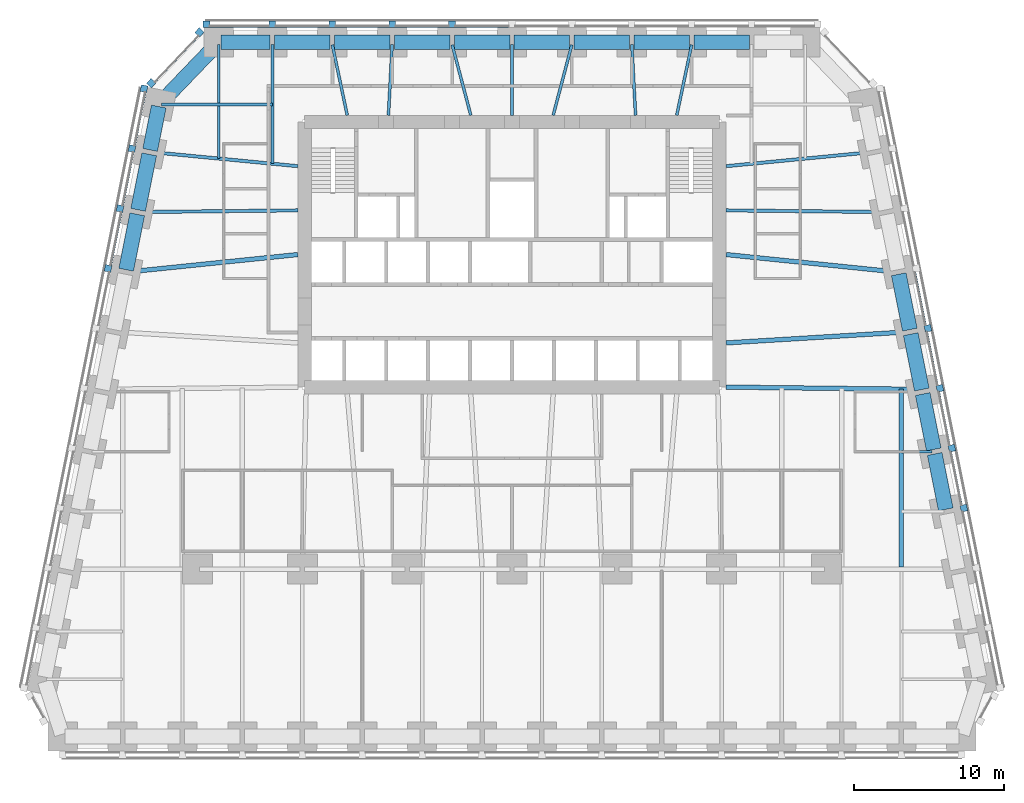
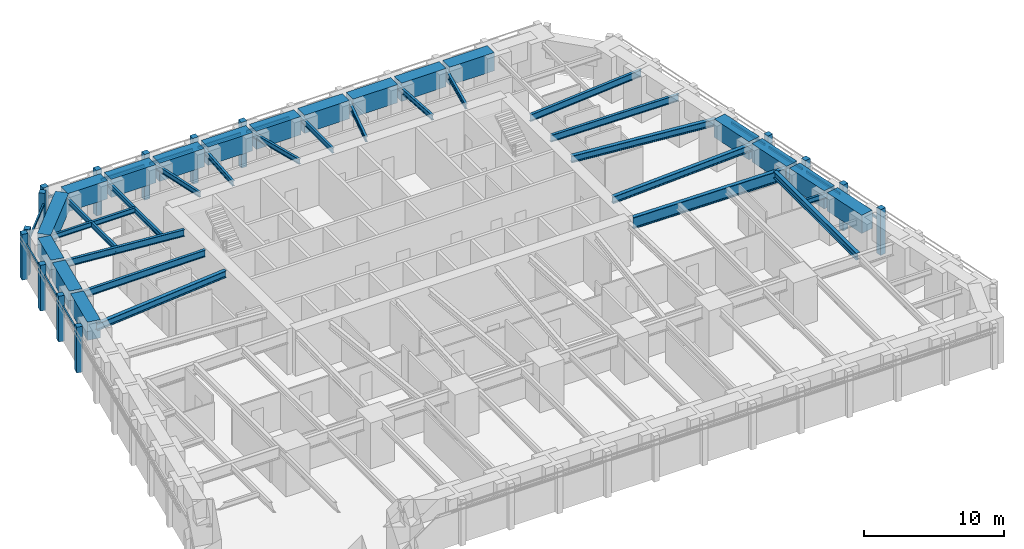
# One storey, part 3 of 10: 37 beams, 28 members, 4 elements without a shape of their own.
"""IFC4 building model written with IfcOpenShell, lengths in metres."""

from ifc_helpers import new_model, si_unit, direction, frame, origin, origin_2d, place, context, subcontext, project, spatial, rectangle, i_section, extrude, material, material_profile, profile_set, type_object, element, aggregate, save


model = new_model("IFC4")

# Units and contexts
model_context = context("Model", 3, precision=1e-05, world=origin(), true_north=direction((0.0, 1.0)))
body_context = subcontext(model_context, "Body", "Model", "MODEL_VIEW")
ifc_project = project(units=[si_unit("LENGTHUNIT", "METRE"), si_unit("AREAUNIT", "SQUARE_METRE"), si_unit("VOLUMEUNIT", "CUBIC_METRE"), si_unit("PLANEANGLEUNIT", "RADIAN"), si_unit("MASSUNIT", "GRAM", prefix="KILO")], contexts=[model_context])

# Site, building, storey
site_placement = place(None, origin())
site = spatial("IfcSite", under=ifc_project, at=site_placement, CompositionType="ELEMENT")
building_placement = place(site_placement, origin())
building = spatial("IfcBuilding", under=site, at=building_placement, Name="Isbrekke Arena Tower", CompositionType="ELEMENT")
storey_placement = place(building_placement, frame((0.0, 0.0, 72.0)))
storey = spatial("IfcBuildingStorey", under=building, at=storey_placement, Name="L15", CompositionType="ELEMENT", Elevation=72.0)

# Beams
ifc_material_1 = material(Name="Steel S355", Category="steel")
ifc_material_profile_1 = material_profile(ifc_material_1, i_section(OverallWidth=0.219970703125, OverallDepth=0.60009765625, WebThickness=0.011962890625, FlangeThickness=0.01904296875, FilletRadius=0.02392578125, at=origin_2d()), Name="IPE 600")
ifc_profile_set_1 = profile_set([ifc_material_profile_1], Name="Steel S355")
beam_type_1 = type_object("IfcBeamType", Name="B1 IPE 600", PredefinedType="BEAM", material=ifc_profile_set_1)
beam_1_placement = place(storey_placement, frame((24.83984375, 17.838134765625, 3.550048828125), z_axis=(-0.999943729589, 0.010608376645, 0.0), x_axis=(-0.010608376645, -0.999943729589, 0.0)))
element("IfcBeam", 1, at=beam_1_placement, inside=storey, type_object=beam_type_1, Name="B1 beam E-E09 L15", PredefinedType="BEAM", context=body_context, shape_type="SweptSolid", body=[
    extrude(i_section(OverallWidth=0.219970703125, OverallDepth=0.60009765625, WebThickness=0.011962890625, FlangeThickness=0.01904296875, FilletRadius=0.02392578125, at=origin_2d()), origin(), (0.0, 0.0, 1.0), 10.540283203125),
])
for number, where, z_axis, x_axis, name in (
    (2, (24.030517578125, 21.837158203125, 3.550048828125), (-0.995393091527, -0.095878012805, 0.0), (0.095878012805, -0.995393091527, 0.0), "B1 beam E-E10 L15"),
    (3, (-24.030517578125, 21.837158203125, 3.550048828125), (0.995393091527, -0.095878012805, 0.0), (0.095878012805, 0.995393091527, 0.0), "B1 beam E-W02 L15"),
):
    element("IfcBeam", number, at=place(storey_placement, frame(where, z_axis=z_axis, x_axis=x_axis)), inside=storey, type_object=beam_type_1, Name=name, PredefinedType="BEAM", context=body_context, shape_type="SweptSolid", body=[
        extrude(i_section(OverallWidth=0.219970703125, OverallDepth=0.60009765625, WebThickness=0.011962890625, FlangeThickness=0.01904296875, FilletRadius=0.02392578125, at=origin_2d()), origin(), (0.0, 0.0, 1.0), 9.775390625),
    ])
beam_2_placement = place(storey_placement, frame((-24.83984375, 17.838134765625, 3.550048828125), z_axis=(0.999943729589, 0.010608376645, 0.0), x_axis=(-0.010608376645, 0.999943729589, 0.0)))
element("IfcBeam", 4, at=beam_2_placement, inside=storey, type_object=beam_type_1, Name="B1 beam E-W03 L15", PredefinedType="BEAM", context=body_context, shape_type="SweptSolid", body=[
    extrude(i_section(OverallWidth=0.219970703125, OverallDepth=0.60009765625, WebThickness=0.011962890625, FlangeThickness=0.01904296875, FilletRadius=0.02392578125, at=origin_2d()), origin(), (0.0, 0.0, 1.0), 10.540283203125),
])
ifc_material_2 = material(Name="Steel S355", Category="steel")
ifc_material_profile_2 = material_profile(ifc_material_2, i_section(OverallWidth=0.18994140625, OverallDepth=0.449951171875, WebThickness=0.009521484375, FlangeThickness=0.0146484375, FilletRadius=0.02099609375, at=origin_2d()), Name="IPE 450")
ifc_profile_set_2 = profile_set([ifc_material_profile_2], Name="Steel S355")
beam_type_2 = type_object("IfcBeamType", Name="B2 IPE 450", PredefinedType="BEAM", material=ifc_profile_set_2)
beam_3_placement = place(storey_placement, frame((28.041015625, 1.838134765625, 3.625), z_axis=(-1.0, 0.0, 0.0), x_axis=(0.0, -1.0, 0.0)))
element("IfcBeam", 5, at=beam_3_placement, inside=storey, type_object=beam_type_2, Name="B2 beam E-E05 L15", PredefinedType="BEAM", context=body_context, shape_type="SweptSolid", body=[
    extrude(i_section(OverallWidth=0.18994140625, OverallDepth=0.449951171875, WebThickness=0.009521484375, FlangeThickness=0.0146484375, FilletRadius=0.02099609375, at=origin_2d()), origin(), (0.0, 0.0, 1.0), 2.041015625),
])
beam_4_placement = place(storey_placement, frame((-23.40283203125, 25.029296875, 3.625), z_axis=(1.0, 0.0, 0.0), x_axis=(0.0, 1.0, 0.0)))
element("IfcBeam", 6, at=beam_4_placement, inside=storey, type_object=beam_type_2, Name="B2 beam E-W01 L15", PredefinedType="BEAM", context=body_context, shape_type="SweptSolid", body=[
    extrude(i_section(OverallWidth=0.18994140625, OverallDepth=0.449951171875, WebThickness=0.009521484375, FlangeThickness=0.0146484375, FilletRadius=0.02099609375, at=origin_2d()), origin(), (0.0, 0.0, 1.0), 7.40283203125),
])
ifc_material_3 = material(Name="Steel S355", Category="steel")
ifc_material_profile_3 = material_profile(ifc_material_3, i_section(OverallWidth=0.18994140625, OverallDepth=0.449951171875, WebThickness=0.009521484375, FlangeThickness=0.0146484375, FilletRadius=0.02099609375, at=origin_2d()), Name="IPE 450")
ifc_profile_set_3 = profile_set([ifc_material_profile_3], Name="Steel S355")
beam_type_3 = type_object("IfcBeamType", Name="B3 IPE 450", PredefinedType="BEAM", material=ifc_profile_set_3)
beam_5_placement = place(storey_placement, frame((-16.0, 29.02490234375, 3.625), z_axis=(0.0, -1.0, 0.0), x_axis=(1.0, 0.0, 0.0)))
element("IfcBeam", 7, at=beam_5_placement, inside=storey, type_object=beam_type_3, Name="B3 beam N-N10 L15", PredefinedType="BEAM", context=body_context, shape_type="SweptSolid", body=[
    extrude(i_section(OverallWidth=0.18994140625, OverallDepth=0.449951171875, WebThickness=0.009521484375, FlangeThickness=0.0146484375, FilletRadius=0.02099609375, at=origin_2d()), origin(), (0.0, 0.0, 1.0), 7.961181640625),
])
beam_6_placement = place(storey_placement, frame((-19.574951171875, 29.02490234375, 3.625), z_axis=(0.0, -1.0, 0.0), x_axis=(1.0, 0.0, 0.0)))
element("IfcBeam", 8, at=beam_6_placement, inside=storey, type_object=beam_type_3, Name="B3 beam N-N11 L15", PredefinedType="BEAM", context=body_context, shape_type="SweptSolid", body=[
    extrude(i_section(OverallWidth=0.18994140625, OverallDepth=0.449951171875, WebThickness=0.009521484375, FlangeThickness=0.0146484375, FilletRadius=0.02099609375, at=origin_2d()), origin(), (0.0, 0.0, 1.0), 7.616943359375),
])
beam_7_placement = place(storey_placement, frame((11.995849609375, 29.005859375, 3.625), z_axis=(-0.207036135686, -0.978333296234, 0.0), x_axis=(0.978333296234, -0.207036135686, 0.0)))
element("IfcBeam", 9, at=beam_7_placement, inside=storey, type_object=beam_type_3, Name="B3 beam N-N03 L15", PredefinedType="BEAM", context=body_context, shape_type="SweptSolid", body=[
    extrude(i_section(OverallWidth=0.18994140625, OverallDepth=0.449951171875, WebThickness=0.009521484375, FlangeThickness=0.0146484375, FilletRadius=0.02099609375, at=origin_2d()), origin(), (0.0, 0.0, 1.0), 4.81005859375),
])
beam_8_placement = place(storey_placement, frame((8.000244140625, 29.02001953125, 3.625), z_axis=(0.05284078094, -0.998602950061, 0.0), x_axis=(0.998602950061, 0.05284078094, 0.0)))
element("IfcBeam", 10, at=beam_8_placement, inside=storey, type_object=beam_type_3, Name="B3 beam N-N04 L15", PredefinedType="BEAM", context=body_context, shape_type="SweptSolid", body=[
    extrude(i_section(OverallWidth=0.18994140625, OverallDepth=0.449951171875, WebThickness=0.009521484375, FlangeThickness=0.0146484375, FilletRadius=0.02099609375, at=origin_2d()), origin(), (0.0, 0.0, 1.0), 4.7265625),
])
beam_9_placement = place(storey_placement, frame((3.993896484375, 29.00146484375, 3.625), z_axis=(-0.255778031922, -0.966735536942, 0.0), x_axis=(0.966735536942, -0.255778031922, 0.0)))
element("IfcBeam", 11, at=beam_9_placement, inside=storey, type_object=beam_type_3, Name="B3 beam N-N05 L15", PredefinedType="BEAM", context=body_context, shape_type="SweptSolid", body=[
    extrude(i_section(OverallWidth=0.18994140625, OverallDepth=0.449951171875, WebThickness=0.009521484375, FlangeThickness=0.0146484375, FilletRadius=0.02099609375, at=origin_2d()), origin(), (0.0, 0.0, 1.0), 4.86328125),
])
beam_10_placement = place(storey_placement, frame((0.0, 29.02490234375, 3.625), z_axis=(0.0, -1.0, 0.0), x_axis=(1.0, 0.0, 0.0)))
element("IfcBeam", 12, at=beam_10_placement, inside=storey, type_object=beam_type_3, Name="B3 beam N-N06 L15", PredefinedType="BEAM", context=body_context, shape_type="SweptSolid", body=[
    extrude(i_section(OverallWidth=0.18994140625, OverallDepth=0.449951171875, WebThickness=0.009521484375, FlangeThickness=0.0146484375, FilletRadius=0.02099609375, at=origin_2d()), origin(), (0.0, 0.0, 1.0), 4.724853515625),
])
beam_11_placement = place(storey_placement, frame((-3.993896484375, 29.00146484375, 3.625), z_axis=(0.255778031922, -0.966735536942, 0.0), x_axis=(0.966735536942, 0.255778031922, 0.0)))
element("IfcBeam", 13, at=beam_11_placement, inside=storey, type_object=beam_type_3, Name="B3 beam N-N07 L15", PredefinedType="BEAM", context=body_context, shape_type="SweptSolid", body=[
    extrude(i_section(OverallWidth=0.18994140625, OverallDepth=0.449951171875, WebThickness=0.009521484375, FlangeThickness=0.0146484375, FilletRadius=0.02099609375, at=origin_2d()), origin(), (0.0, 0.0, 1.0), 4.86328125),
])
beam_12_placement = place(storey_placement, frame((-8.000244140625, 29.02001953125, 3.625), z_axis=(-0.05284078094, -0.998602950061, 0.0), x_axis=(0.998602950061, -0.05284078094, 0.0)))
element("IfcBeam", 14, at=beam_12_placement, inside=storey, type_object=beam_type_3, Name="B3 beam N-N08 L15", PredefinedType="BEAM", context=body_context, shape_type="SweptSolid", body=[
    extrude(i_section(OverallWidth=0.18994140625, OverallDepth=0.449951171875, WebThickness=0.009521484375, FlangeThickness=0.0146484375, FilletRadius=0.02099609375, at=origin_2d()), origin(), (0.0, 0.0, 1.0), 4.7265625),
])
beam_13_placement = place(storey_placement, frame((-11.995849609375, 29.005859375, 3.625), z_axis=(0.207036135686, -0.978333296234, 0.0), x_axis=(0.978333296234, 0.207036135686, 0.0)))
element("IfcBeam", 15, at=beam_13_placement, inside=storey, type_object=beam_type_3, Name="B3 beam N-N09 L15", PredefinedType="BEAM", context=body_context, shape_type="SweptSolid", body=[
    extrude(i_section(OverallWidth=0.18994140625, OverallDepth=0.449951171875, WebThickness=0.009521484375, FlangeThickness=0.0146484375, FilletRadius=0.02099609375, at=origin_2d()), origin(), (0.0, 0.0, 1.0), 4.81005859375),
])
ifc_material_4 = material(Name="Steel S355", Category="steel")
ifc_material_profile_4 = material_profile(ifc_material_4, i_section(OverallWidth=0.300048828125, OverallDepth=0.60009765625, WebThickness=0.015380859375, FlangeThickness=0.030029296875, FilletRadius=0.027099609375, at=origin_2d()), Name="HEB 600")
ifc_profile_set_4 = profile_set([ifc_material_profile_4], Name="Steel S355")
beam_type_4 = type_object("IfcBeamType", Name="B7 HEB 600", PredefinedType="BEAM", material=ifc_profile_set_4)
beam_14_placement = place(storey_placement, frame((26.0, -5.84912109375, 3.550048828125), z_axis=(0.0, 1.0, 0.0), x_axis=(-1.0, 0.0, 0.0)))
element("IfcBeam", 16, at=beam_14_placement, inside=storey, type_object=beam_type_4, Name="B7 beam C-M14 L15", PredefinedType="BEAM", context=body_context, shape_type="SweptSolid", body=[
    extrude(i_section(OverallWidth=0.300048828125, OverallDepth=0.60009765625, WebThickness=0.015380859375, FlangeThickness=0.030029296875, FilletRadius=0.027099609375, at=origin_2d()), origin(), (0.0, 0.0, 1.0), 11.864990234375),
])
beam_15_placement = place(storey_placement, frame((26.431884765625, 9.837646484375, 3.550048828125), z_axis=(-0.998157121592, -0.060682457223, 0.0), x_axis=(0.060682457223, -0.998157121592, 0.0)))
element("IfcBeam", 17, at=beam_15_placement, inside=storey, type_object=beam_type_4, Name="B7 beam E-E07 L15", PredefinedType="BEAM", context=body_context, shape_type="SweptSolid", body=[
    extrude(i_section(OverallWidth=0.300048828125, OverallDepth=0.60009765625, WebThickness=0.015380859375, FlangeThickness=0.030029296875, FilletRadius=0.027099609375, at=origin_2d()), origin(), (0.0, 0.0, 1.0), 12.154296875),
])
for number, where, z_axis, x_axis, name in (
    (18, (25.625732421875, 13.83984375, 3.550048828125), (-0.994794378016, 0.101902627384, 0.0), (-0.101902627384, -0.994794378016, 0.0), "B7 beam E-E08 L15"),
    (19, (-25.625732421875, 13.83984375, 3.550048828125), (0.994794378016, 0.101902627384, 0.0), (-0.101902627384, 0.994794378016, 0.0), "B7 beam E-W04 L15"),
):
    element("IfcBeam", number, at=place(storey_placement, frame(where, z_axis=z_axis, x_axis=x_axis)), inside=storey, type_object=beam_type_4, Name=name, PredefinedType="BEAM", context=body_context, shape_type="SweptSolid", body=[
        extrude(i_section(OverallWidth=0.300048828125, OverallDepth=0.60009765625, WebThickness=0.015380859375, FlangeThickness=0.030029296875, FilletRadius=0.027099609375, at=origin_2d()), origin(), (0.0, 0.0, 1.0), 11.385009765625),
    ])

# Curtain wall, members
ifc_material_5 = material(Name="Glazed aluminium curtain wall", Category="aluminium")
curtain_wall_type = type_object("IfcCurtainWallType", Name="CWL TOWER CURTAIN WALL LOW ZONE", PredefinedType="USERDEFINED", material=ifc_material_5)
curtain_wall_1_placement = place(storey_placement, origin())
curtain_wall_1 = element("IfcCurtainWall", 20, at=curtain_wall_1_placement, inside=storey, type_object=curtain_wall_type, Name="CWL curtain wall L15-E", ObjectType="TOWER CURTAIN WALL LOW ZONE", PredefinedType="USERDEFINED")
ifc_material_6 = material(Name="Aluminium mullion, pale brick slip cladding", Category="masonry")
ifc_material_profile_5 = material_profile(ifc_material_6, rectangle(XDim=0.449951171875, YDim=0.449951171875, at=origin_2d()), Name="PIER 450X450")
ifc_profile_set_5 = profile_set([ifc_material_profile_5], Name="Aluminium mullion, pale brick slip cladding")
member_type_1 = type_object("IfcMemberType", Name="CWL-M PIER MULLION 450 x 450", PredefinedType="MULLION", material=ifc_profile_set_5)
member_1_placement = place(storey_placement, frame((30.167724609375, -1.926513671875, 0.0), z_axis=(0.0, 0.0, 1.0), x_axis=(-0.196116135138, 0.980580675691, 0.0)))
member_1 = element("IfcMember", 21, at=member_1_placement, type_object=member_type_1, Name="CWL-M mullion 4", PredefinedType="MULLION", context=body_context, shape_type="SweptSolid", body=[
    extrude(rectangle(XDim=0.449951171875, YDim=0.449951171875, at=origin_2d()), origin(), (0.0, 0.0, 1.0), 4.0),
])
member_2_placement = place(storey_placement, frame((29.36767578125, 2.073486328125, 0.0), z_axis=(0.0, 0.0, 1.0), x_axis=(-0.196116135138, 0.980580675691, 0.0)))
member_2 = element("IfcMember", 22, at=member_2_placement, type_object=member_type_1, Name="CWL-M mullion 5", PredefinedType="MULLION", context=body_context, shape_type="SweptSolid", body=[
    extrude(rectangle(XDim=0.449951171875, YDim=0.449951171875, at=origin_2d()), origin(), (0.0, 0.0, 1.0), 4.0),
])
member_3_placement = place(storey_placement, frame((28.567626953125, 6.073486328125, 0.0), z_axis=(0.0, 0.0, 1.0), x_axis=(-0.196116135138, 0.980580675691, 0.0)))
member_3 = element("IfcMember", 23, at=member_3_placement, type_object=member_type_1, Name="CWL-M mullion 6", PredefinedType="MULLION", context=body_context, shape_type="SweptSolid", body=[
    extrude(rectangle(XDim=0.449951171875, YDim=0.449951171875, at=origin_2d()), origin(), (0.0, 0.0, 1.0), 4.0),
])
member_4_placement = place(storey_placement, frame((27.767822265625, 10.073486328125, 0.0), z_axis=(0.0, 0.0, 1.0), x_axis=(-0.196116135138, 0.980580675691, 0.0)))
member_4 = element("IfcMember", 24, at=member_4_placement, type_object=member_type_1, Name="CWL-M mullion 7", PredefinedType="MULLION", context=body_context, shape_type="SweptSolid", body=[
    extrude(rectangle(XDim=0.449951171875, YDim=0.449951171875, at=origin_2d()), origin(), (0.0, 0.0, 1.0), 4.0),
])

curtain_wall_2_placement = place(storey_placement, origin())
curtain_wall_2 = element("IfcCurtainWall", 25, at=curtain_wall_2_placement, inside=storey, type_object=curtain_wall_type, Name="CWL curtain wall L15-N", ObjectType="TOWER CURTAIN WALL LOW ZONE", PredefinedType="USERDEFINED")
member_5_placement = place(storey_placement, frame((-4.0, 30.375, 0.0), z_axis=(0.0, 0.0, 1.0), x_axis=(-1.0, 0.0, 0.0)))
member_5 = element("IfcMember", 26, at=member_5_placement, type_object=member_type_1, Name="CWL-M mullion 7", PredefinedType="MULLION", context=body_context, shape_type="SweptSolid", body=[
    extrude(rectangle(XDim=0.449951171875, YDim=0.449951171875, at=origin_2d()), origin(), (0.0, 0.0, 1.0), 4.0),
])
member_6_placement = place(storey_placement, frame((-8.0, 30.375, 0.0), z_axis=(0.0, 0.0, 1.0), x_axis=(-1.0, 0.0, 0.0)))
member_6 = element("IfcMember", 27, at=member_6_placement, type_object=member_type_1, Name="CWL-M mullion 8", PredefinedType="MULLION", context=body_context, shape_type="SweptSolid", body=[
    extrude(rectangle(XDim=0.449951171875, YDim=0.449951171875, at=origin_2d()), origin(), (0.0, 0.0, 1.0), 4.0),
])
member_7_placement = place(storey_placement, frame((-12.0, 30.375, 0.0), z_axis=(0.0, 0.0, 1.0), x_axis=(-1.0, 0.0, 0.0)))
member_7 = element("IfcMember", 28, at=member_7_placement, type_object=member_type_1, Name="CWL-M mullion 9", PredefinedType="MULLION", context=body_context, shape_type="SweptSolid", body=[
    extrude(rectangle(XDim=0.449951171875, YDim=0.449951171875, at=origin_2d()), origin(), (0.0, 0.0, 1.0), 4.0),
])
member_8_placement = place(storey_placement, frame((-16.0, 30.375, 0.0), z_axis=(0.0, 0.0, 1.0), x_axis=(-1.0, 0.0, 0.0)))
member_8 = element("IfcMember", 29, at=member_8_placement, type_object=member_type_1, Name="CWL-M mullion 10", PredefinedType="MULLION", context=body_context, shape_type="SweptSolid", body=[
    extrude(rectangle(XDim=0.449951171875, YDim=0.449951171875, at=origin_2d()), origin(), (0.0, 0.0, 1.0), 4.0),
])
member_9_placement = place(storey_placement, frame((-20.39990234375, 30.375, 0.0), z_axis=(0.0, 0.0, 1.0), x_axis=(-1.0, 0.0, 0.0)))
member_9 = element("IfcMember", 30, at=member_9_placement, type_object=member_type_1, Name="CWL-M mullion 11", PredefinedType="MULLION", context=body_context, shape_type="SweptSolid", body=[
    extrude(rectangle(XDim=0.449951171875, YDim=0.449951171875, at=origin_2d()), origin(), (0.0, 0.0, 1.0), 4.0),
])

curtain_wall_3_placement = place(storey_placement, origin())
curtain_wall_3 = element("IfcCurtainWall", 31, at=curtain_wall_3_placement, inside=storey, type_object=curtain_wall_type, Name="CWL curtain wall L15-NW", ObjectType="TOWER CURTAIN WALL LOW ZONE", PredefinedType="USERDEFINED")
member_10_placement = place(storey_placement, frame((-20.86572265625, 29.83642578125, 0.0), z_axis=(0.0, 0.0, 1.0), x_axis=(-0.68874946192, -0.72499943359, 0.0)))
member_10 = element("IfcMember", 32, at=member_10_placement, type_object=member_type_1, Name="CWL-M mullion 1", PredefinedType="MULLION", context=body_context, shape_type="SweptSolid", body=[
    extrude(rectangle(XDim=0.449951171875, YDim=0.449951171875, at=origin_2d()), origin(), (0.0, 0.0, 1.0), 4.0),
])
member_11_placement = place(storey_placement, frame((-24.087890625, 26.44482421875, 0.0), z_axis=(0.0, 0.0, 1.0), x_axis=(-0.68874946192, -0.72499943359, 0.0)))
member_11 = element("IfcMember", 33, at=member_11_placement, type_object=member_type_1, Name="CWL-M mullion 2", PredefinedType="MULLION", context=body_context, shape_type="SweptSolid", body=[
    extrude(rectangle(XDim=0.449951171875, YDim=0.449951171875, at=origin_2d()), origin(), (0.0, 0.0, 1.0), 4.0),
])

curtain_wall_4_placement = place(storey_placement, origin())
curtain_wall_4 = element("IfcCurtainWall", 34, at=curtain_wall_4_placement, inside=storey, type_object=curtain_wall_type, Name="CWL curtain wall L15-W", ObjectType="TOWER CURTAIN WALL LOW ZONE", PredefinedType="USERDEFINED")
member_12_placement = place(storey_placement, frame((-24.567626953125, 26.073486328125, 0.0), z_axis=(0.0, 0.0, 1.0), x_axis=(-0.196116135138, -0.980580675691, 0.0)))
member_12 = element("IfcMember", 35, at=member_12_placement, type_object=member_type_1, Name="CWL-M mullion 1", PredefinedType="MULLION", context=body_context, shape_type="SweptSolid", body=[
    extrude(rectangle(XDim=0.449951171875, YDim=0.449951171875, at=origin_2d()), origin(), (0.0, 0.0, 1.0), 4.0),
])
member_13_placement = place(storey_placement, frame((-25.36767578125, 22.073486328125, 0.0), z_axis=(0.0, 0.0, 1.0), x_axis=(-0.196116135138, -0.980580675691, 0.0)))
member_13 = element("IfcMember", 36, at=member_13_placement, type_object=member_type_1, Name="CWL-M mullion 2", PredefinedType="MULLION", context=body_context, shape_type="SweptSolid", body=[
    extrude(rectangle(XDim=0.449951171875, YDim=0.449951171875, at=origin_2d()), origin(), (0.0, 0.0, 1.0), 4.0),
])
member_14_placement = place(storey_placement, frame((-26.167724609375, 18.073486328125, 0.0), z_axis=(0.0, 0.0, 1.0), x_axis=(-0.196116135138, -0.980580675691, 0.0)))
member_14 = element("IfcMember", 37, at=member_14_placement, type_object=member_type_1, Name="CWL-M mullion 3", PredefinedType="MULLION", context=body_context, shape_type="SweptSolid", body=[
    extrude(rectangle(XDim=0.449951171875, YDim=0.449951171875, at=origin_2d()), origin(), (0.0, 0.0, 1.0), 4.0),
])
member_15_placement = place(storey_placement, frame((-26.9677734375, 14.073486328125, 0.0), z_axis=(0.0, 0.0, 1.0), x_axis=(-0.196116135138, -0.980580675691, 0.0)))
member_15 = element("IfcMember", 38, at=member_15_placement, type_object=member_type_1, Name="CWL-M mullion 4", PredefinedType="MULLION", context=body_context, shape_type="SweptSolid", body=[
    extrude(rectangle(XDim=0.449951171875, YDim=0.449951171875, at=origin_2d()), origin(), (0.0, 0.0, 1.0), 4.0),
])

# Member
ifc_material_7 = material(Name="Aluminium transom", Category="aluminium")
ifc_material_profile_6 = material_profile(ifc_material_7, rectangle(XDim=0.1201171875, YDim=0.199951171875, at=origin_2d()), Name="TRANSOM 120X200")
ifc_profile_set_6 = profile_set([ifc_material_profile_6], Name="Aluminium transom")
member_type_2 = type_object("IfcMemberType", Name="CWL-T TRANSOM 120 x 200", PredefinedType="USERDEFINED", material=ifc_profile_set_6)
member_16_placement = place(storey_placement, frame((30.0009765625, -1.730224609375, 3.0), z_axis=(-0.196103197847, 0.98058326306, 0.0), x_axis=(-0.98058326306, -0.196103197847, 0.0)))
member_16 = element("IfcMember", 39, at=member_16_placement, type_object=member_type_2, Name="CWL-T transom 4", ObjectType="TRANSOM", PredefinedType="USERDEFINED", context=body_context, shape_type="SweptSolid", body=[
    extrude(rectangle(XDim=0.1201171875, YDim=0.199951171875, at=origin_2d()), origin(), (0.0, 0.0, 1.0), 3.629150390625),
])

member_17_placement = place(storey_placement, frame((29.200927734375, 2.269775390625, 3.0), z_axis=(-0.196103197847, 0.98058326306, 0.0), x_axis=(-0.98058326306, -0.196103197847, 0.0)))
member_17 = element("IfcMember", 40, at=member_17_placement, type_object=member_type_2, Name="CWL-T transom 5", ObjectType="TRANSOM", PredefinedType="USERDEFINED", context=body_context, shape_type="SweptSolid", body=[
    extrude(rectangle(XDim=0.1201171875, YDim=0.199951171875, at=origin_2d()), origin(), (0.0, 0.0, 1.0), 3.629150390625),
])

member_18_placement = place(storey_placement, frame((28.401123046875, 6.269775390625, 3.0), z_axis=(-0.196167883278, 0.980570324643, 0.0), x_axis=(-0.980570324643, -0.196167883278, 0.0)))
member_18 = element("IfcMember", 41, at=member_18_placement, type_object=member_type_2, Name="CWL-T transom 6", ObjectType="TRANSOM", PredefinedType="USERDEFINED", context=body_context, shape_type="SweptSolid", body=[
    extrude(rectangle(XDim=0.1201171875, YDim=0.199951171875, at=origin_2d()), origin(), (0.0, 0.0, 1.0), 3.629150390625),
])

member_19_placement = place(storey_placement, frame((27.60107421875, 10.269775390625, 3.0), z_axis=(-0.196167883278, 0.980570324643, 0.0), x_axis=(-0.980570324643, -0.196167883278, 0.0)))
member_19 = element("IfcMember", 42, at=member_19_placement, type_object=member_type_2, Name="CWL-T transom 7", ObjectType="TRANSOM", PredefinedType="USERDEFINED", context=body_context, shape_type="SweptSolid", body=[
    extrude(rectangle(XDim=0.1201171875, YDim=0.199951171875, at=origin_2d()), origin(), (0.0, 0.0, 1.0), 3.629150390625),
])

aggregate(curtain_wall_1, [member_1, member_2, member_3, member_4, member_16, member_17, member_18, member_19])

member_20_placement = place(storey_placement, frame((-0.22509765625, 30.25, 3.0), z_axis=(-1.0, 0.0, 0.0), x_axis=(0.0, -1.0, 0.0)))
member_20 = element("IfcMember", 43, at=member_20_placement, type_object=member_type_2, Name="CWL-T transom 6", ObjectType="TRANSOM", PredefinedType="USERDEFINED", context=body_context, shape_type="SweptSolid", body=[
    extrude(rectangle(XDim=0.1201171875, YDim=0.199951171875, at=origin_2d()), origin(), (0.0, 0.0, 1.0), 3.5498046875),
])

member_21_placement = place(storey_placement, frame((-4.22509765625, 30.25, 3.0), z_axis=(-1.0, 0.0, 0.0), x_axis=(0.0, -1.0, 0.0)))
member_21 = element("IfcMember", 44, at=member_21_placement, type_object=member_type_2, Name="CWL-T transom 7", ObjectType="TRANSOM", PredefinedType="USERDEFINED", context=body_context, shape_type="SweptSolid", body=[
    extrude(rectangle(XDim=0.1201171875, YDim=0.199951171875, at=origin_2d()), origin(), (0.0, 0.0, 1.0), 3.5498046875),
])

member_22_placement = place(storey_placement, frame((-8.22509765625, 30.25, 3.0), z_axis=(-1.0, 0.0, 0.0), x_axis=(0.0, -1.0, 0.0)))
member_22 = element("IfcMember", 45, at=member_22_placement, type_object=member_type_2, Name="CWL-T transom 8", ObjectType="TRANSOM", PredefinedType="USERDEFINED", context=body_context, shape_type="SweptSolid", body=[
    extrude(rectangle(XDim=0.1201171875, YDim=0.199951171875, at=origin_2d()), origin(), (0.0, 0.0, 1.0), 3.5498046875),
])

member_23_placement = place(storey_placement, frame((-12.22509765625, 30.25, 3.0), z_axis=(-1.0, 0.0, 0.0), x_axis=(0.0, -1.0, 0.0)))
member_23 = element("IfcMember", 46, at=member_23_placement, type_object=member_type_2, Name="CWL-T transom 9", ObjectType="TRANSOM", PredefinedType="USERDEFINED", context=body_context, shape_type="SweptSolid", body=[
    extrude(rectangle(XDim=0.1201171875, YDim=0.199951171875, at=origin_2d()), origin(), (0.0, 0.0, 1.0), 3.5498046875),
])

member_24_placement = place(storey_placement, frame((-16.22509765625, 30.25, 3.0), z_axis=(-1.0, 0.0, 0.0), x_axis=(0.0, -1.0, 0.0)))
member_24 = element("IfcMember", 47, at=member_24_placement, type_object=member_type_2, Name="CWL-T transom 10", ObjectType="TRANSOM", PredefinedType="USERDEFINED", context=body_context, shape_type="SweptSolid", body=[
    extrude(rectangle(XDim=0.1201171875, YDim=0.199951171875, at=origin_2d()), origin(), (0.0, 0.0, 1.0), 3.949951171875),
])

aggregate(curtain_wall_2, [member_5, member_6, member_7, member_8, member_9, member_20, member_21, member_22, member_23, member_24])

member_25_placement = place(storey_placement, frame((-20.93017578125, 29.587158203125, 3.0), z_axis=(-0.6887433918, -0.725005200155, 0.0), x_axis=(0.725005200155, -0.6887433918, 0.0)))
member_25 = element("IfcMember", 48, at=member_25_placement, type_object=member_type_2, Name="CWL-T transom 1", ObjectType="TRANSOM", PredefinedType="USERDEFINED", context=body_context, shape_type="SweptSolid", body=[
    extrude(rectangle(XDim=0.1201171875, YDim=0.199951171875, at=origin_2d()), origin(), (0.0, 0.0, 1.0), 4.22802734375),
])

aggregate(curtain_wall_3, [member_10, member_11, member_25])

member_26_placement = place(storey_placement, frame((-24.4892578125, 25.828369140625, 3.0), z_axis=(-0.196103197847, -0.98058326306, 0.0), x_axis=(0.98058326306, -0.196103197847, 0.0)))
member_26 = element("IfcMember", 49, at=member_26_placement, type_object=member_type_2, Name="CWL-T transom 1", ObjectType="TRANSOM", PredefinedType="USERDEFINED", context=body_context, shape_type="SweptSolid", body=[
    extrude(rectangle(XDim=0.1201171875, YDim=0.199951171875, at=origin_2d()), origin(), (0.0, 0.0, 1.0), 3.629150390625),
])

member_27_placement = place(storey_placement, frame((-25.289306640625, 21.828369140625, 3.0), z_axis=(-0.196103197847, -0.98058326306, 0.0), x_axis=(0.98058326306, -0.196103197847, 0.0)))
member_27 = element("IfcMember", 50, at=member_27_placement, type_object=member_type_2, Name="CWL-T transom 2", ObjectType="TRANSOM", PredefinedType="USERDEFINED", context=body_context, shape_type="SweptSolid", body=[
    extrude(rectangle(XDim=0.1201171875, YDim=0.199951171875, at=origin_2d()), origin(), (0.0, 0.0, 1.0), 3.629150390625),
])

member_28_placement = place(storey_placement, frame((-26.08935546875, 17.828369140625, 3.0), z_axis=(-0.196103197847, -0.98058326306, 0.0), x_axis=(0.98058326306, -0.196103197847, 0.0)))
member_28 = element("IfcMember", 51, at=member_28_placement, type_object=member_type_2, Name="CWL-T transom 3", ObjectType="TRANSOM", PredefinedType="USERDEFINED", context=body_context, shape_type="SweptSolid", body=[
    extrude(rectangle(XDim=0.1201171875, YDim=0.199951171875, at=origin_2d()), origin(), (0.0, 0.0, 1.0), 3.629150390625),
])

aggregate(curtain_wall_4, [member_12, member_13, member_14, member_15, member_26, member_27, member_28])

# Beams
ifc_material_8 = material(Name="Steel S355", Category="steel")
ifc_material_profile_7 = material_profile(ifc_material_8, i_section(OverallWidth=0.302001953125, OverallDepth=1.008056640625, WebThickness=0.02099609375, FlangeThickness=0.0400390625, FilletRadius=0.030029296875, at=origin_2d()), Name="HEM 1000")
ifc_profile_set_7 = profile_set([ifc_material_profile_7], Name="Steel S355")
beam_type_5 = type_object("IfcBeamType", Name="G2 HEM 1000", PredefinedType="BEAM", material=ifc_profile_set_7)
beam_16_placement = place(storey_placement, frame((14.300048828125, 6.14990234375, 3.345947265625), z_axis=(0.999934429634, -0.011451481699, 0.0), x_axis=(0.011451481699, 0.999934429634, 0.0)))
element("IfcBeam", 52, at=beam_16_placement, inside=storey, type_object=beam_type_5, Name="G2 beam G2-E L15", PredefinedType="BEAM", context=body_context, shape_type="SweptSolid", body=[
    extrude(i_section(OverallWidth=0.302001953125, OverallDepth=1.008056640625, WebThickness=0.02099609375, FlangeThickness=0.0400390625, FilletRadius=0.030029296875, at=origin_2d()), origin(), (0.0, 0.0, 1.0), 13.09033203125),
])
ifc_material_9 = material(Name="Concrete B90 (C90/105)", Category="concrete")
ifc_material_profile_8 = material_profile(ifc_material_9, rectangle(XDim=1.0, YDim=1.60009765625, at=origin_2d()), Name="RC 1000x1600")
ifc_profile_set_8 = profile_set([ifc_material_profile_8], Name="Concrete B90 (C90/105)")
beam_type_6 = type_object("IfcBeamType", Name="SB1 RC 1000 x 1600", PredefinedType="SPANDREL", material=ifc_profile_set_8)
for number, where, z_axis, x_axis, name in (
    (53, (28.961669921875, -2.0146484375, 3.199951171875), (-0.196128558387, 0.980578190959, 0.0), (-0.980578190959, -0.196128558387, 0.0), "SB1 spandrel E04-E05 L15"),
    (54, (28.16162109375, 1.9853515625, 3.199951171875), (-0.196128558387, 0.980578190959, 0.0), (-0.980578190959, -0.196128558387, 0.0), "SB1 spandrel E05-E06 L15"),
    (55, (27.361572265625, 5.9853515625, 3.199951171875), (-0.196128558387, 0.980578190959, 0.0), (-0.980578190959, -0.196128558387, 0.0), "SB1 spandrel E06-E07 L15"),
):
    element("IfcBeam", number, at=place(storey_placement, frame(where, z_axis=z_axis, x_axis=x_axis)), inside=storey, type_object=beam_type_6, Name=name, PredefinedType="SPANDREL", context=body_context, shape_type="SweptSolid", body=[
        extrude(rectangle(XDim=1.0, YDim=1.60009765625, at=origin_2d()), origin(), (0.0, 0.0, 1.0), 3.779296875),
    ])
beam_17_placement = place(storey_placement, frame((26.5615234375, 9.9853515625, 3.199951171875), z_axis=(-0.1960664412, 0.980590613169, 0.0), x_axis=(-0.980590613169, -0.1960664412, 0.0)))
element("IfcBeam", 56, at=beam_17_placement, inside=storey, type_object=beam_type_6, Name="SB1 spandrel E07-E08 L15", PredefinedType="SPANDREL", context=body_context, shape_type="SweptSolid", body=[
    extrude(rectangle(XDim=1.0, YDim=1.60009765625, at=origin_2d()), origin(), (0.0, 0.0, 1.0), 3.779052734375),
])
for number, where, z_axis, x_axis, name in (
    (57, (15.85009765625, 29.175048828125, 3.199951171875), (-1.0, 0.0, 0.0), (0.0, -1.0, 0.0), "SB1 spandrel N02-N03 L15"),
    (58, (11.85009765625, 29.175048828125, 3.199951171875), (-1.0, 0.0, 0.0), (0.0, -1.0, 0.0), "SB1 spandrel N03-N04 L15"),
    (59, (7.85009765625, 29.175048828125, 3.199951171875), (-1.0, 0.0, 0.0), (0.0, -1.0, 0.0), "SB1 spandrel N04-N05 L15"),
    (60, (3.85009765625, 29.175048828125, 3.199951171875), (-1.0, 0.0, 0.0), (0.0, -1.0, 0.0), "SB1 spandrel N05-N06 L15"),
    (61, (-0.14990234375, 29.175048828125, 3.199951171875), (-1.0, 0.0, 0.0), (0.0, -1.0, 0.0), "SB1 spandrel N06-N07 L15"),
    (62, (-4.14990234375, 29.175048828125, 3.199951171875), (-1.0, 0.0, 0.0), (0.0, -1.0, 0.0), "SB1 spandrel N07-N08 L15"),
    (63, (-8.14990234375, 29.175048828125, 3.199951171875), (-1.0, 0.0, 0.0), (0.0, -1.0, 0.0), "SB1 spandrel N08-N09 L15"),
    (64, (-12.14990234375, 29.175048828125, 3.199951171875), (-1.0, 0.0, 0.0), (0.0, -1.0, 0.0), "SB1 spandrel N09-N10 L15"),
):
    element("IfcBeam", number, at=place(storey_placement, frame(where, z_axis=z_axis, x_axis=x_axis)), inside=storey, type_object=beam_type_6, Name=name, PredefinedType="SPANDREL", context=body_context, shape_type="SweptSolid", body=[
        extrude(rectangle(XDim=1.0, YDim=1.60009765625, at=origin_2d()), origin(), (0.0, 0.0, 1.0), 3.7001953125),
    ])
beam_18_placement = place(storey_placement, frame((-16.14990234375, 29.175048828125, 3.199951171875), z_axis=(-1.0, 0.0, 0.0), x_axis=(0.0, -1.0, 0.0)))
element("IfcBeam", 65, at=beam_18_placement, inside=storey, type_object=beam_type_6, Name="SB1 spandrel N10-N11 L15", PredefinedType="SPANDREL", context=body_context, shape_type="SweptSolid", body=[
    extrude(rectangle(XDim=1.0, YDim=1.60009765625, at=origin_2d()), origin(), (0.0, 0.0, 1.0), 3.275146484375),
])
beam_19_placement = place(storey_placement, frame((-19.678955078125, 29.066650390625, 3.199951171875), z_axis=(-0.692339547635, -0.721571861134, 0.0), x_axis=(0.721571861134, -0.692339547635, 0.0)))
element("IfcBeam", 66, at=beam_19_placement, inside=storey, type_object=beam_type_6, Name="SB1 spandrel N11-W01 L15", PredefinedType="SPANDREL", context=body_context, shape_type="SweptSolid", body=[
    extrude(rectangle(XDim=1.0, YDim=1.60009765625, at=origin_2d()), origin(), (0.0, 0.0, 1.0), 5.4453125),
])
beam_20_placement = place(storey_placement, frame((-23.582275390625, 24.882080078125, 3.199951171875), z_axis=(-0.196116135138, -0.980580675691, 0.0), x_axis=(0.980580675691, -0.196116135138, 0.0)))
element("IfcBeam", 67, at=beam_20_placement, inside=storey, type_object=beam_type_6, Name="SB1 spandrel W01-W02 L15", PredefinedType="SPANDREL", context=body_context, shape_type="SweptSolid", body=[
    extrude(rectangle(XDim=1.0, YDim=1.60009765625, at=origin_2d()), origin(), (0.0, 0.0, 1.0), 2.9541015625),
])
for number, where, z_axis, x_axis, name in (
    (68, (-24.220458984375, 21.691162109375, 3.199951171875), (-0.196128558387, -0.980578190959, 0.0), (0.980578190959, -0.196128558387, 0.0), "SB1 spandrel W02-W03 L15"),
    (69, (-25.0205078125, 17.691162109375, 3.199951171875), (-0.196128558387, -0.980578190959, 0.0), (0.980578190959, -0.196128558387, 0.0), "SB1 spandrel W03-W04 L15"),
):
    element("IfcBeam", number, at=place(storey_placement, frame(where, z_axis=z_axis, x_axis=x_axis)), inside=storey, type_object=beam_type_6, Name=name, PredefinedType="SPANDREL", context=body_context, shape_type="SweptSolid", body=[
        extrude(rectangle(XDim=1.0, YDim=1.60009765625, at=origin_2d()), origin(), (0.0, 0.0, 1.0), 3.779296875),
    ])

save(model, "model.ifc")
